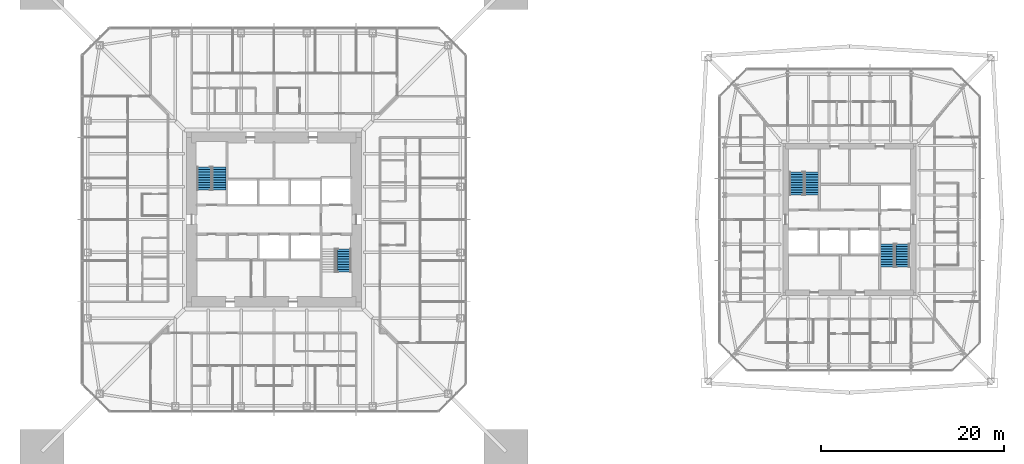
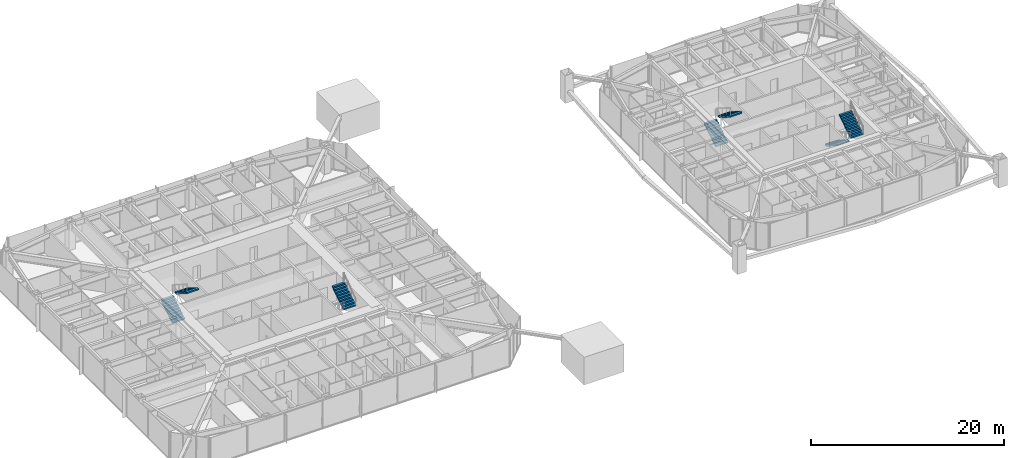
# One storey, part 20 of 25: 7 stair flights, 4 elements without a shape of their own.
"""IFC4 building model written with IfcOpenShell, lengths in metres."""

from ifc_helpers import new_model, si_unit, direction, frame, origin, place, context, subcontext, project, spatial, polyline, outline, extrude, material, constituent, constituent_set, type_object, element, aggregate, save


model = new_model("IFC4")

# Units and contexts
model_context = context("Model", 3, precision=1e-05, world=origin(), true_north=direction((0.0, 1.0)))
body_context = subcontext(model_context, "Body", "Model", "MODEL_VIEW")
ifc_project = project(units=[si_unit("LENGTHUNIT", "METRE"), si_unit("AREAUNIT", "SQUARE_METRE"), si_unit("VOLUMEUNIT", "CUBIC_METRE"), si_unit("PLANEANGLEUNIT", "RADIAN"), si_unit("MASSUNIT", "GRAM", prefix="KILO")], contexts=[model_context])

# Site, building, storey
site_placement = place(None, origin())
site = spatial("IfcSite", under=ifc_project, at=site_placement, CompositionType="ELEMENT")
building_placement = place(site_placement, origin())
building = spatial("IfcBuilding", under=site, at=building_placement, Name="Iwan Alto Co-Living Towers", CompositionType="ELEMENT")
storey_placement = place(building_placement, frame((0.0, 0.0, 87.5)))
storey = spatial("IfcBuildingStorey", under=building, at=storey_placement, Name="L23", CompositionType="ELEMENT", Elevation=87.5)

# Stair, stair flights
ifc_material_1 = material(Name="Steel ASTM A36", Category="steel")
ifc_constituent_1 = constituent(ifc_material_1, Name="Stringers", Category="LoadBearing")
ifc_material_2 = material(Name="Concrete f'c 30 MPa", Category="concrete")
ifc_constituent_2 = constituent(ifc_material_2, Name="Tread fill", Category="Finish")
ifc_constituent_set_1 = constituent_set(constituents=[ifc_constituent_1, ifc_constituent_2], Name="STAIR 3500 TWO-FLIGHT T1 CORE")
stair_type_1 = type_object("IfcStairType", Name="STAIR 3500 TWO-FLIGHT T1 CORE", PredefinedType="HALF_TURN_STAIR", material=ifc_constituent_set_1)
stair_1_placement = place(storey_placement, origin())
stair_1 = element("IfcStair", 1, at=stair_1_placement, inside=storey, type_object=stair_type_1, Name="Stair T1-S1 L23 to L24", PredefinedType="HALF_TURN_STAIR")
ifc_constituent_3 = constituent(ifc_material_1, Name="Stringers", Category="LoadBearing")
ifc_constituent_4 = constituent(ifc_material_2, Name="Tread fill", Category="Finish")
ifc_constituent_set_2 = constituent_set(constituents=[ifc_constituent_3, ifc_constituent_4], Name="STAIR FLIGHT 10 RISERS 280 GOING")
stair_flight_type = type_object("IfcStairFlightType", Name="STAIR FLIGHT 10 RISERS 280 GOING", PredefinedType="STRAIGHT", material=ifc_constituent_set_2)
stair_flight_1_placement = place(storey_placement, frame((-7.68994140625, 3.219970703125, 0.0), z_axis=(0.0, 0.0, 1.0), x_axis=(0.0, 1.0, 0.0)))
stair_flight_1 = element("IfcStairFlight", 2, at=stair_flight_1_placement, type_object=stair_flight_type, Name="T1-S1 flight 1", NumberOfRisers=10, NumberOfTreads=9, PredefinedType="STRAIGHT", RiserHeight=0.175, TreadLength=0.28, context=body_context, shape_type="SweptSolid", body=[
    extrude(outline(polyline([(0.0, 0.0), (0.0, 0.175048828125), (0.280029296875, 0.175048828125), (0.280029296875, 0.35009765625), (0.56005859375, 0.35009765625), (0.56005859375, 0.52490234375), (0.840087890625, 0.52490234375), (0.840087890625, 0.699951171875), (1.1201171875, 0.699951171875), (1.1201171875, 0.875), (1.39990234375, 0.875), (1.39990234375, 1.050048828125), (1.679931640625, 1.050048828125), (1.679931640625, 1.22509765625), (1.9599609375, 1.22509765625), (1.9599609375, 1.39990234375), (2.239990234375, 1.39990234375), (2.239990234375, 1.574951171875), (2.52001953125, 1.574951171875), (2.52001953125, 1.75), (2.52001953125, 1.398193359375), (0.28271484375, 0.0), (0.0, 0.0)])), frame((0.0, 0.739990234375, 0.0), z_axis=(0.0, -1.0, 0.0), x_axis=(1.0, 0.0, 0.0)), (0.0, 0.0, 1.0), 1.47998046875),
])
stair_flight_2_placement = place(storey_placement, frame((-6.010009765625, 5.739990234375, 1.75), z_axis=(0.0, 0.0, 1.0), x_axis=(0.0, -1.0, 0.0)))
stair_flight_2 = element("IfcStairFlight", 3, at=stair_flight_2_placement, type_object=stair_flight_type, Name="T1-S1 flight 2", NumberOfRisers=10, NumberOfTreads=9, PredefinedType="STRAIGHT", RiserHeight=0.175, TreadLength=0.28, context=body_context, shape_type="SweptSolid", body=[
    extrude(outline(polyline([(0.0, 0.0), (0.0, 0.175048828125), (0.280029296875, 0.175048828125), (0.280029296875, 0.35009765625), (0.56005859375, 0.35009765625), (0.56005859375, 0.52490234375), (0.840087890625, 0.52490234375), (0.840087890625, 0.699951171875), (1.1201171875, 0.699951171875), (1.1201171875, 0.875), (1.39990234375, 0.875), (1.39990234375, 1.050048828125), (1.679931640625, 1.050048828125), (1.679931640625, 1.22509765625), (1.9599609375, 1.22509765625), (1.9599609375, 1.39990234375), (2.239990234375, 1.39990234375), (2.239990234375, 1.574951171875), (2.52001953125, 1.574951171875), (2.52001953125, 1.75), (2.52001953125, 1.398193359375), (0.28271484375, 0.0), (0.0, 0.0)])), frame((0.0, 0.739990234375, 0.0), z_axis=(0.0, -1.0, 0.0), x_axis=(1.0, 0.0, 0.0)), (0.0, 0.0, 1.0), 1.47998046875),
])
aggregate(stair_1, [stair_flight_1, stair_flight_2])

# Stair, stair flight
stair_2_placement = place(storey_placement, origin())
stair_2 = element("IfcStair", 4, at=stair_2_placement, inside=storey, type_object=stair_type_1, Name="Stair T1-S2 L23 to L24", PredefinedType="HALF_TURN_STAIR")
stair_flight_3_placement = place(storey_placement, frame((7.68994140625, -5.739990234375, 1.75), z_axis=(0.0, 0.0, 1.0), x_axis=(0.0, 1.0, 0.0)))
stair_flight_3 = element("IfcStairFlight", 5, at=stair_flight_3_placement, type_object=stair_flight_type, Name="T1-S2 flight 2", NumberOfRisers=10, NumberOfTreads=9, PredefinedType="STRAIGHT", RiserHeight=0.175, TreadLength=0.28, context=body_context, shape_type="SweptSolid", body=[
    extrude(outline(polyline([(0.0, 0.0), (0.0, 0.175048828125), (0.280029296875, 0.175048828125), (0.280029296875, 0.35009765625), (0.56005859375, 0.35009765625), (0.56005859375, 0.52490234375), (0.840087890625, 0.52490234375), (0.840087890625, 0.699951171875), (1.1201171875, 0.699951171875), (1.1201171875, 0.875), (1.39990234375, 0.875), (1.39990234375, 1.050048828125), (1.679931640625, 1.050048828125), (1.679931640625, 1.22509765625), (1.9599609375, 1.22509765625), (1.9599609375, 1.39990234375), (2.239990234375, 1.39990234375), (2.239990234375, 1.574951171875), (2.52001953125, 1.574951171875), (2.52001953125, 1.75), (2.52001953125, 1.398193359375), (0.28271484375, 0.0), (0.0, 0.0)])), frame((0.0, 0.739990234375, 0.0), z_axis=(0.0, -1.0, 0.0), x_axis=(1.0, 0.0, 0.0)), (0.0, 0.0, 1.0), 1.47998046875),
])
aggregate(stair_2, [stair_flight_3])

# Stair, stair flights
ifc_constituent_5 = constituent(ifc_material_1, Name="Stringers", Category="LoadBearing")
ifc_constituent_6 = constituent(ifc_material_2, Name="Tread fill", Category="Finish")
ifc_constituent_set_3 = constituent_set(constituents=[ifc_constituent_5, ifc_constituent_6], Name="STAIR 3500 TWO-FLIGHT T2 CORE")
stair_type_2 = type_object("IfcStairType", Name="STAIR 3500 TWO-FLIGHT T2 CORE", PredefinedType="HALF_TURN_STAIR", material=ifc_constituent_set_3)
stair_3_placement = place(storey_placement, origin())
stair_3 = element("IfcStair", 6, at=stair_3_placement, inside=storey, type_object=stair_type_2, Name="Stair T2-S1 L23 to L24", PredefinedType="HALF_TURN_STAIR")
stair_flight_4_placement = place(storey_placement, frame((57.159912109375, 2.669921875, 0.0), z_axis=(0.0, 0.0, 1.0), x_axis=(0.0, 1.0, 0.0)))
stair_flight_4 = element("IfcStairFlight", 7, at=stair_flight_4_placement, type_object=stair_flight_type, Name="T2-S1 flight 1", NumberOfRisers=10, NumberOfTreads=9, PredefinedType="STRAIGHT", RiserHeight=0.175, TreadLength=0.28, context=body_context, shape_type="SweptSolid", body=[
    extrude(outline(polyline([(0.0, 0.0), (0.0, 0.175048828125), (0.280029296875, 0.175048828125), (0.280029296875, 0.35009765625), (0.56005859375, 0.35009765625), (0.56005859375, 0.52490234375), (0.840087890625, 0.52490234375), (0.840087890625, 0.699951171875), (1.1201171875, 0.699951171875), (1.1201171875, 0.875), (1.39990234375, 0.875), (1.39990234375, 1.050048828125), (1.679931640625, 1.050048828125), (1.679931640625, 1.22509765625), (1.9599609375, 1.22509765625), (1.9599609375, 1.39990234375), (2.239990234375, 1.39990234375), (2.239990234375, 1.574951171875), (2.52001953125, 1.574951171875), (2.52001953125, 1.75), (2.52001953125, 1.398193359375), (0.28271484375, 0.0), (0.0, 0.0)])), frame((0.0, 0.739990234375, 0.0), z_axis=(0.0, -1.0, 0.0), x_axis=(1.0, 0.0, 0.0)), (0.0, 0.0, 1.0), 1.47998046875),
])
stair_flight_5_placement = place(storey_placement, frame((58.840087890625, 5.18994140625, 1.75), z_axis=(0.0, 0.0, 1.0), x_axis=(0.0, -1.0, 0.0)))
stair_flight_5 = element("IfcStairFlight", 8, at=stair_flight_5_placement, type_object=stair_flight_type, Name="T2-S1 flight 2", NumberOfRisers=10, NumberOfTreads=9, PredefinedType="STRAIGHT", RiserHeight=0.175, TreadLength=0.28, context=body_context, shape_type="SweptSolid", body=[
    extrude(outline(polyline([(0.0, 0.0), (0.0, 0.175048828125), (0.280029296875, 0.175048828125), (0.280029296875, 0.35009765625), (0.56005859375, 0.35009765625), (0.56005859375, 0.52490234375), (0.840087890625, 0.52490234375), (0.840087890625, 0.699951171875), (1.1201171875, 0.699951171875), (1.1201171875, 0.875), (1.39990234375, 0.875), (1.39990234375, 1.050048828125), (1.679931640625, 1.050048828125), (1.679931640625, 1.22509765625), (1.9599609375, 1.22509765625), (1.9599609375, 1.39990234375), (2.239990234375, 1.39990234375), (2.239990234375, 1.574951171875), (2.52001953125, 1.574951171875), (2.52001953125, 1.75), (2.52001953125, 1.398193359375), (0.28271484375, 0.0), (0.0, 0.0)])), frame((0.0, 0.739990234375, 0.0), z_axis=(0.0, -1.0, 0.0), x_axis=(1.0, 0.0, 0.0)), (0.0, 0.0, 1.0), 1.47998046875),
])
aggregate(stair_3, [stair_flight_4, stair_flight_5])

stair_4_placement = place(storey_placement, origin())
stair_4 = element("IfcStair", 9, at=stair_4_placement, inside=storey, type_object=stair_type_2, Name="Stair T2-S2 L23 to L24", PredefinedType="HALF_TURN_STAIR")
stair_flight_6_placement = place(storey_placement, frame((67.159912109375, -2.669921875, 0.0), z_axis=(0.0, 0.0, 1.0), x_axis=(0.0, -1.0, 0.0)))
stair_flight_6 = element("IfcStairFlight", 10, at=stair_flight_6_placement, type_object=stair_flight_type, Name="T2-S2 flight 1", NumberOfRisers=10, NumberOfTreads=9, PredefinedType="STRAIGHT", RiserHeight=0.175, TreadLength=0.28, context=body_context, shape_type="SweptSolid", body=[
    extrude(outline(polyline([(0.0, 0.0), (0.0, 0.175048828125), (0.280029296875, 0.175048828125), (0.280029296875, 0.35009765625), (0.56005859375, 0.35009765625), (0.56005859375, 0.52490234375), (0.840087890625, 0.52490234375), (0.840087890625, 0.699951171875), (1.1201171875, 0.699951171875), (1.1201171875, 0.875), (1.39990234375, 0.875), (1.39990234375, 1.050048828125), (1.679931640625, 1.050048828125), (1.679931640625, 1.22509765625), (1.9599609375, 1.22509765625), (1.9599609375, 1.39990234375), (2.239990234375, 1.39990234375), (2.239990234375, 1.574951171875), (2.52001953125, 1.574951171875), (2.52001953125, 1.75), (2.52001953125, 1.398193359375), (0.28271484375, 0.0), (0.0, 0.0)])), frame((0.0, 0.739990234375, 0.0), z_axis=(0.0, -1.0, 0.0), x_axis=(1.0, 0.0, 0.0)), (0.0, 0.0, 1.0), 1.47998046875),
])
stair_flight_7_placement = place(storey_placement, frame((68.840087890625, -5.18994140625, 1.75), z_axis=(0.0, 0.0, 1.0), x_axis=(0.0, 1.0, 0.0)))
stair_flight_7 = element("IfcStairFlight", 11, at=stair_flight_7_placement, type_object=stair_flight_type, Name="T2-S2 flight 2", NumberOfRisers=10, NumberOfTreads=9, PredefinedType="STRAIGHT", RiserHeight=0.175, TreadLength=0.28, context=body_context, shape_type="SweptSolid", body=[
    extrude(outline(polyline([(0.0, 0.0), (0.0, 0.175048828125), (0.280029296875, 0.175048828125), (0.280029296875, 0.35009765625), (0.56005859375, 0.35009765625), (0.56005859375, 0.52490234375), (0.840087890625, 0.52490234375), (0.840087890625, 0.699951171875), (1.1201171875, 0.699951171875), (1.1201171875, 0.875), (1.39990234375, 0.875), (1.39990234375, 1.050048828125), (1.679931640625, 1.050048828125), (1.679931640625, 1.22509765625), (1.9599609375, 1.22509765625), (1.9599609375, 1.39990234375), (2.239990234375, 1.39990234375), (2.239990234375, 1.574951171875), (2.52001953125, 1.574951171875), (2.52001953125, 1.75), (2.52001953125, 1.398193359375), (0.28271484375, 0.0), (0.0, 0.0)])), frame((0.0, 0.739990234375, 0.0), z_axis=(0.0, -1.0, 0.0), x_axis=(1.0, 0.0, 0.0)), (0.0, 0.0, 1.0), 1.47998046875),
])
aggregate(stair_4, [stair_flight_6, stair_flight_7])

save(model, "model.ifc")
